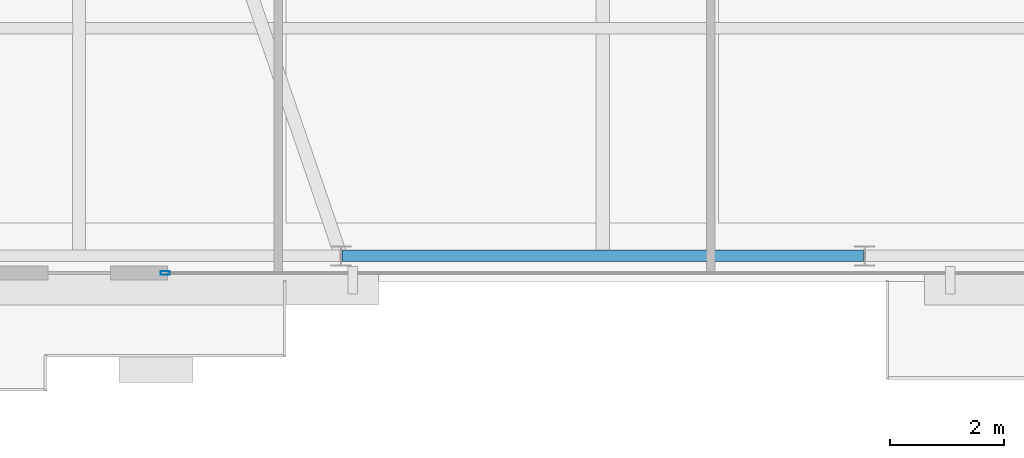
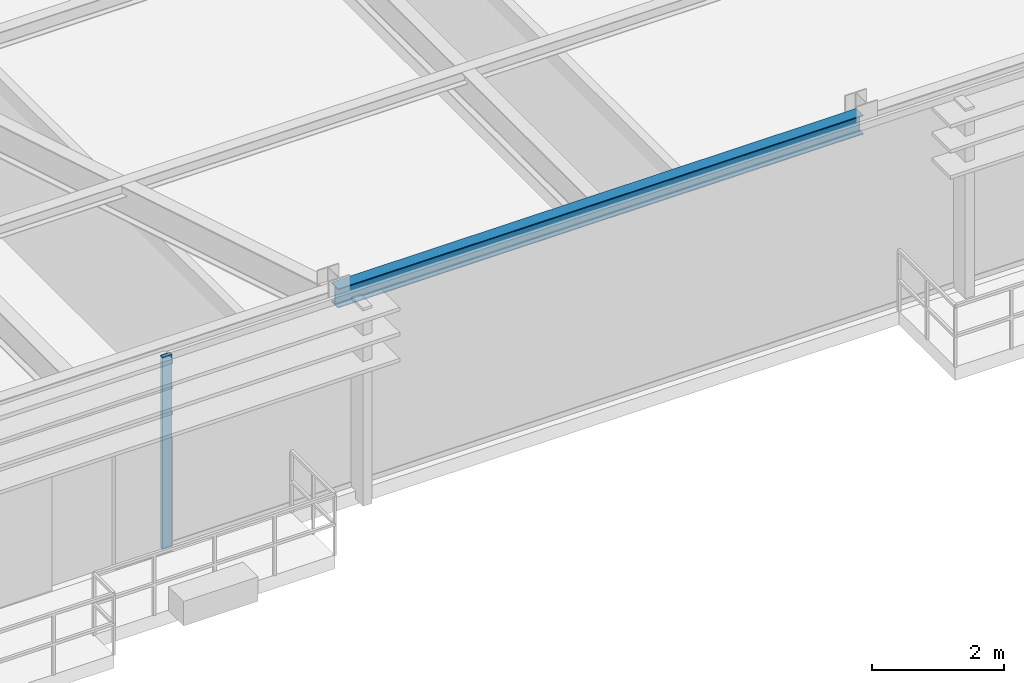
# One storey, part 8 of 31: 1 beam, 1 member, 1 element without a shape of its own.
"""IFC4 building model written with IfcOpenShell, lengths in metres."""

from ifc_helpers import new_model, si_unit, direction, frame, origin, origin_2d, place, context, subcontext, project, spatial, hollow_rectangle, i_section, extrude, source, transform, mapped, material, layer, layer_set, material_profile, profile_set, type_object, type_shapes, element, aggregate, save


model = new_model("IFC4")

# Units and contexts
model_context = context("Model", 3, precision=1e-05, world=origin(), true_north=direction((0.0, 1.0)))
body_context = subcontext(model_context, "Body", "Model", "MODEL_VIEW")
ifc_project = project(units=[si_unit("LENGTHUNIT", "METRE"), si_unit("AREAUNIT", "SQUARE_METRE"), si_unit("VOLUMEUNIT", "CUBIC_METRE"), si_unit("PLANEANGLEUNIT", "RADIAN"), si_unit("MASSUNIT", "GRAM", prefix="KILO")], contexts=[model_context])

# Site, building, storey
site_placement = place(None, origin())
site = spatial("IfcSite", under=ifc_project, at=site_placement, CompositionType="ELEMENT")
building_placement = place(site_placement, origin())
building = spatial("IfcBuilding", under=site, at=building_placement, Name="Varnel Quay Broadcast Tower", CompositionType="ELEMENT")
storey_placement = place(building_placement, frame((0.0, 0.0, 215.0)))
storey = spatial("IfcBuildingStorey", under=building, at=storey_placement, Name="L53", CompositionType="ELEMENT", Elevation=215.0)

# Beam
ifc_material_1 = material(Name="Structural Steel CSA G40.21 350W", Category="steel")
ifc_material_profile_1 = material_profile(ifc_material_1, i_section(OverallWidth=0.205078125, OverallDepth=0.35400390625, WebThickness=0.009521484375, FlangeThickness=0.016845703125, FilletRadius=0.012939453125, at=origin_2d()), Name="W360X79")
ifc_profile_set_1 = profile_set([ifc_material_profile_1], Name="Structural Steel CSA G40.21 350W")
beam_type = type_object("IfcBeamType", Name="Beam_W360X79", PredefinedType="SPANDREL", material=ifc_profile_set_1)
shared_shape_1 = source(origin(), body_context, "Body", "SweptSolid", [
    extrude(i_section(OverallWidth=0.205078125, OverallDepth=0.35400390625, WebThickness=0.009521484375, FlangeThickness=0.016845703125, FilletRadius=0.012939453125, at=origin_2d()), origin(), (0.0, 0.0, 1.0), 9.16015625),
])
type_shapes(beam_type, [shared_shape_1])
beam_placement = place(storey_placement, frame((29.419921875, 10.64990234375, 3.373046875), z_axis=(1.0, 0.0, 0.0), x_axis=(0.0, 1.0, 0.0)))
element("IfcBeam", 1, at=beam_placement, inside=storey, type_object=beam_type, Name="L53 South Spandrel TC-S2-TC-S3", PredefinedType="SPANDREL", context=body_context, shape_type="MappedRepresentation", body=[
    mapped(shared_shape_1, transform((0.0, 0.0, 0.0), x_axis=(1.0, 0.0, 0.0), y_axis=(0.0, 1.0, 0.0), z_axis=(0.0, 0.0, 1.0), scale=1.0)),
])

# Curtain wall, member
ifc_material_2 = material(Name="Anodised Bronze Aluminium 6063-T6", Category="aluminium")
ifc_layer = layer(ifc_material_2, 0.18994140625, Name="Anodised Bronze Aluminium 6063-T6")
ifc_layer_set = layer_set([ifc_layer], Name="Anodised Bronze Aluminium 6063-T6")
curtain_wall_type = type_object("IfcCurtainWallType", Name="CW_UpperTower", PredefinedType="NOTDEFINED", material=ifc_layer_set)
curtain_wall_placement = place(storey_placement, origin())
curtain_wall = element("IfcCurtainWall", 2, at=curtain_wall_placement, inside=storey, type_object=curtain_wall_type, Name="L53 South Unitised Curtain Wall 2", PredefinedType="NOTDEFINED")
ifc_material_profile_2 = material_profile(ifc_material_2, hollow_rectangle(XDim=0.06494140625, YDim=0.1650390625, WallThickness=0.00341796875, at=origin_2d()), Name="ALU65X165X3.5")
ifc_profile_set_2 = profile_set([ifc_material_profile_2], Name="Anodised Bronze Aluminium 6063-T6")
member_type = type_object("IfcMemberType", Name="Mull_CWS-03", PredefinedType="MULLION", material=ifc_profile_set_2)
shared_shape_2 = source(origin(), body_context, "Body", "SweptSolid", [
    extrude(hollow_rectangle(XDim=0.06494140625, YDim=0.1650390625, WallThickness=0.00341796875, at=origin_2d()), origin(), (0.0, 0.0, 1.0), 3.550048828125),
])
type_shapes(member_type, [shared_shape_2])
member_placement = place(storey_placement, frame((26.3125, 10.35009765625, 0.0), z_axis=(0.0, 0.0, 1.0), x_axis=(0.0, 1.0, 0.0)))
member = element("IfcMember", 3, at=member_placement, type_object=member_type, Name="CWS-03 mullion 1", PredefinedType="MULLION", context=body_context, shape_type="MappedRepresentation", body=[
    mapped(shared_shape_2, transform((0.0, 0.0, 0.0), x_axis=(1.0, 0.0, 0.0), y_axis=(0.0, 1.0, 0.0), z_axis=(0.0, 0.0, 1.0), scale=1.0)),
])
aggregate(curtain_wall, [member])

save(model, "model.ifc")
